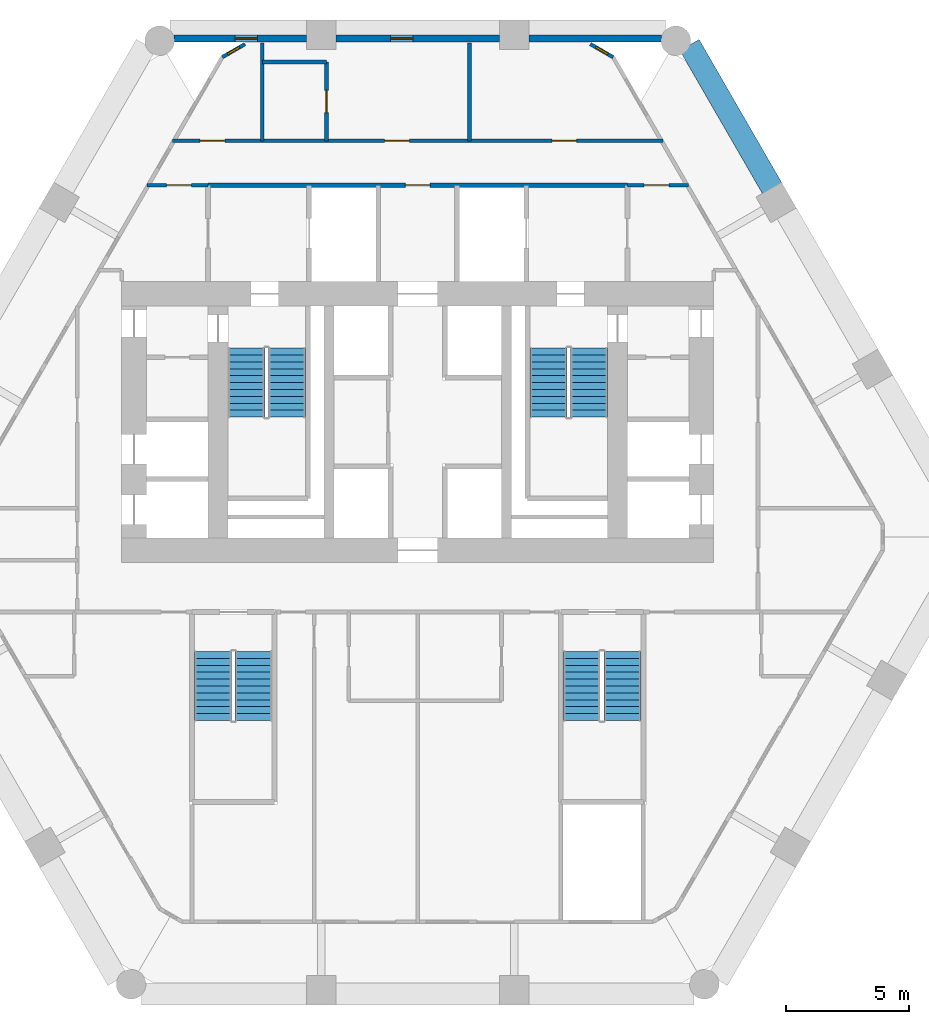
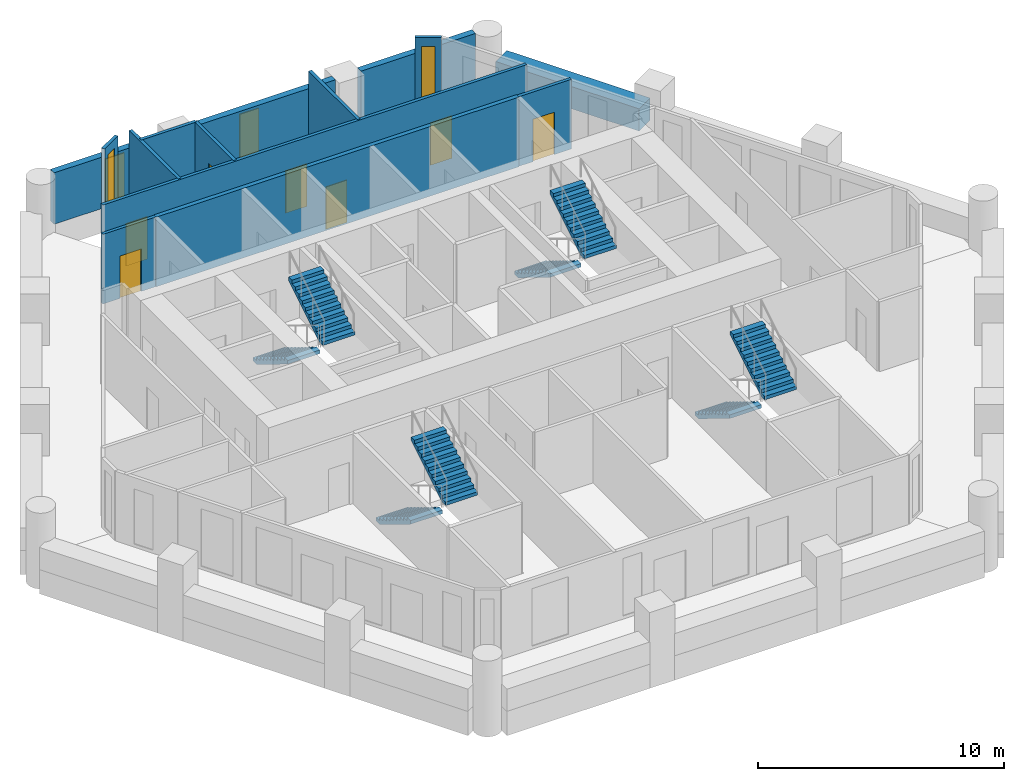
# One storey, part 6 of 7: 14 walls, 8 stair flights, 7 doors, 4 windows, 11 openings, 4 elements without a shape of their own.
"""IFC4 building model written with IfcOpenShell, lengths in metres."""

from ifc_helpers import new_model, si_unit, direction, frame, frame_2d, origin, place, context, subcontext, project, spatial, polyline, rectangle, outline, extrude, material, layer, layer_set, type_object, element, fill, aggregate, save


model = new_model("IFC4")

# Units and contexts
model_context = context("Model", 3, precision=1e-05, world=origin(), true_north=direction((0.0, 1.0)))
body_context = subcontext(model_context, "Body", "Model", "MODEL_VIEW")
ifc_project = project(units=[si_unit("LENGTHUNIT", "METRE"), si_unit("AREAUNIT", "SQUARE_METRE"), si_unit("VOLUMEUNIT", "CUBIC_METRE"), si_unit("PLANEANGLEUNIT", "RADIAN"), si_unit("MASSUNIT", "GRAM", prefix="KILO")], contexts=[model_context])

# Site, building, storey
site_placement = place(None, origin())
site = spatial("IfcSite", under=ifc_project, at=site_placement, CompositionType="ELEMENT")
building_placement = place(site_placement, origin())
building = spatial("IfcBuilding", under=site, at=building_placement, Name="Ostrander Bayou Hotel Tower", CompositionType="ELEMENT")
storey_placement = place(building_placement, frame((0.0, 0.0, 119.75)))
storey = spatial("IfcBuildingStorey", under=building, at=storey_placement, Name="L29", CompositionType="ELEMENT", Elevation=119.75)

# Wall, opening, window
ifc_material_1 = material(Name="Aluminium framed insulated wall", Category="aluminium")
ifc_layer_1 = layer(ifc_material_1, 0.14990234375)
ifc_layer_set_1 = layer_set([ifc_layer_1], Name="GW1 glass-line wall 150 mm")
wall_type_1 = type_object("IfcWallType", Name="GW1 glass-line wall 150 mm", PredefinedType="SOLIDWALL", material=ifc_layer_set_1)
wall_1_placement = place(storey_placement, frame((-7.002685546875, 19.324951171875, 0.0), z_axis=(0.0, 0.0, 1.0), x_axis=(-0.866048165231, -0.499960573946, 0.0)))
wall_1 = element("IfcWall", 1, at=wall_1_placement, inside=storey, type_object=wall_type_1, Name="GW1 L29 corner 1", PredefinedType="SOLIDWALL", context=body_context, shape_type="SweptSolid", body=[
    extrude(rectangle(XDim=1.06494140625, YDim=0.14990234375, at=frame_2d((0.532470703125, 0.0))), origin(), (0.0, 0.0, 1.0), 3.449951171875),
])
opening_1_placement = place(wall_1_placement, frame((0.257568359375, 0.0, 0.14990234375)))
opening_1 = element("IfcOpeningElement", 2, at=opening_1_placement, cuts=wall_1, Name="Opening W19", PredefinedType="OPENING", context=body_context, shape_type="SweptSolid", body=[
    extrude(rectangle(XDim=0.550048828125, YDim=2.85009765625, at=frame_2d((0.27490234375, 1.425048828125))), frame((0.0, 0.074951171875, 0.0), z_axis=(0.0, -1.0, 0.0), x_axis=(1.0, 0.0, 0.0)), (0.0, 0.0, 1.0), 0.14990234375),
])
ifc_material_2 = material(Name="Aluminium and clear glass", Category="aluminium")
window_type_1 = type_object("IfcWindowType", Name="W19 corner window 550 mm", PartitioningType="SINGLE_PANEL", PredefinedType="WINDOW", material=ifc_material_2)
window_1_placement = place(opening_1_placement, origin())
window_1 = element("IfcWindow", 3, at=window_1_placement, inside=storey, type_object=window_type_1, Name="W19 L29 corner 1", OverallHeight=2.85009765625, OverallWidth=0.550048828125, PartitioningType="SINGLE_PANEL", PredefinedType="WINDOW", context=body_context, shape_type="SweptSolid", body=[
    extrude(rectangle(XDim=0.550048828125, YDim=2.85009765625, at=frame_2d((0.27490234375, 1.425048828125))), frame((0.0, 0.030029296875, 0.0), z_axis=(0.0, -1.0, 0.0), x_axis=(1.0, 0.0, 0.0)), (0.0, 0.0, 1.0), 0.06005859375),
])
fill(opening_1, window_1)

wall_2_placement = place(storey_placement, frame((7.925048828125, 18.79248046875, 0.0), z_axis=(0.0, 0.0, 1.0), x_axis=(-0.866048165231, 0.499960573946, 0.0)))
wall_2 = element("IfcWall", 4, at=wall_2_placement, inside=storey, type_object=wall_type_1, Name="GW1 L29 corner 6", PredefinedType="SOLIDWALL", context=body_context, shape_type="SweptSolid", body=[
    extrude(rectangle(XDim=1.06494140625, YDim=0.14990234375, at=frame_2d((0.532470703125, 0.0))), origin(), (0.0, 0.0, 1.0), 3.449951171875),
])
opening_2_placement = place(wall_2_placement, frame((0.257568359375, 0.0, 0.14990234375)))
opening_2 = element("IfcOpeningElement", 5, at=opening_2_placement, cuts=wall_2, Name="Opening W19", PredefinedType="OPENING", context=body_context, shape_type="SweptSolid", body=[
    extrude(rectangle(XDim=0.550048828125, YDim=2.85009765625, at=frame_2d((0.27490234375, 1.425048828125))), frame((0.0, 0.074951171875, 0.0), z_axis=(0.0, -1.0, 0.0), x_axis=(1.0, 0.0, 0.0)), (0.0, 0.0, 1.0), 0.14990234375),
])
window_2_placement = place(opening_2_placement, origin())
window_2 = element("IfcWindow", 6, at=window_2_placement, inside=storey, type_object=window_type_1, Name="W19 L29 corner 6", OverallHeight=2.85009765625, OverallWidth=0.550048828125, PartitioningType="SINGLE_PANEL", PredefinedType="WINDOW", context=body_context, shape_type="SweptSolid", body=[
    extrude(rectangle(XDim=0.550048828125, YDim=2.85009765625, at=frame_2d((0.27490234375, 1.425048828125))), frame((0.0, 0.030029296875, 0.0), z_axis=(0.0, -1.0, 0.0), x_axis=(1.0, 0.0, 0.0)), (0.0, 0.0, 1.0), 0.06005859375),
])
fill(opening_2, window_2)

# Wall
ifc_material_3 = material(Name="Reconstituted stone on masonry backing", Category="masonry")
ifc_layer_2 = layer(ifc_material_3, 0.300048828125)
ifc_layer_set_2 = layer_set([ifc_layer_2], Name="NW1 north stone wall 300 mm")
wall_type_2 = type_object("IfcWallType", Name="NW1 north stone wall 300 mm", PredefinedType="SOLIDWALL", material=ifc_layer_set_2)
wall_3_placement = place(storey_placement, frame((9.875, 19.550048828125, 0.0), z_axis=(0.0, 0.0, 1.0), x_axis=(-1.0, 0.0, 0.0)))
element("IfcWall", 7, at=wall_3_placement, inside=storey, type_object=wall_type_2, Name="NW1 L29 N-1", PredefinedType="SOLIDWALL", context=body_context, shape_type="SweptSolid", body=[
    extrude(rectangle(XDim=5.368408203125, YDim=0.300048828125, at=frame_2d((2.68408203125, 0.0))), origin(), (0.0, 0.0, 1.0), 2.550048828125),
])

# Wall, opening, window
wall_4_placement = place(storey_placement, frame((3.306640625, 19.550048828125, 0.0), z_axis=(0.0, 0.0, 1.0), x_axis=(-1.0, 0.0, 0.0)))
wall_4 = element("IfcWall", 8, at=wall_4_placement, inside=storey, type_object=wall_type_2, Name="NW1 L29 N-2", PredefinedType="SOLIDWALL", context=body_context, shape_type="SweptSolid", body=[
    extrude(rectangle(XDim=6.61328125, YDim=0.300048828125, at=frame_2d((3.306640625, 0.0))), origin(), (0.0, 0.0, 1.0), 2.550048828125),
])
opening_3_placement = place(wall_4_placement, frame((3.506591796875, 0.0, 0.14990234375)))
opening_3 = element("IfcOpeningElement", 9, at=opening_3_placement, cuts=wall_4, Name="Opening W16", PredefinedType="OPENING", context=body_context, shape_type="SweptSolid", body=[
    extrude(rectangle(XDim=0.89990234375, YDim=2.14990234375, at=frame_2d((0.449951171875, 1.074951171875))), frame((0.0, 0.14990234375, 0.0), z_axis=(0.0, -1.0, 0.0), x_axis=(1.0, 0.0, 0.0)), (0.0, 0.0, 1.0), 0.300048828125),
])
ifc_material_4 = material(Name="Aluminium and clear glass", Category="aluminium")
window_type_2 = type_object("IfcWindowType", Name="W16 window 900 mm, zone 2", PartitioningType="SINGLE_PANEL", PredefinedType="WINDOW", material=ifc_material_4)
window_3_placement = place(opening_3_placement, origin())
window_3 = element("IfcWindow", 10, at=window_3_placement, inside=storey, type_object=window_type_2, Name="W16 L29 north N-2", OverallHeight=2.14990234375, OverallWidth=0.89990234375, PartitioningType="SINGLE_PANEL", PredefinedType="WINDOW", context=body_context, shape_type="SweptSolid", body=[
    extrude(rectangle(XDim=0.89990234375, YDim=2.14990234375, at=frame_2d((0.449951171875, 1.074951171875))), frame((0.0, 0.030029296875, 0.0), z_axis=(0.0, -1.0, 0.0), x_axis=(1.0, 0.0, 0.0)), (0.0, 0.0, 1.0), 0.06005859375),
])
fill(opening_3, window_3)

wall_5_placement = place(storey_placement, frame((-4.506591796875, 19.550048828125, 0.0), z_axis=(0.0, 0.0, 1.0), x_axis=(-1.0, 0.0, 0.0)))
wall_5 = element("IfcWall", 11, at=wall_5_placement, inside=storey, type_object=wall_type_2, Name="NW1 L29 N-3", PredefinedType="SOLIDWALL", context=body_context, shape_type="SweptSolid", body=[
    extrude(rectangle(XDim=5.368408203125, YDim=0.300048828125, at=frame_2d((2.68408203125, 0.0))), origin(), (0.0, 0.0, 1.0), 2.550048828125),
])
opening_4_placement = place(wall_5_placement, frame((1.993408203125, 0.0, 0.14990234375)))
opening_4 = element("IfcOpeningElement", 12, at=opening_4_placement, cuts=wall_5, Name="Opening W16", PredefinedType="OPENING", context=body_context, shape_type="SweptSolid", body=[
    extrude(rectangle(XDim=0.89990234375, YDim=2.14990234375, at=frame_2d((0.449951171875, 1.074951171875))), frame((0.0, 0.14990234375, 0.0), z_axis=(0.0, -1.0, 0.0), x_axis=(1.0, 0.0, 0.0)), (0.0, 0.0, 1.0), 0.300048828125),
])
window_4_placement = place(opening_4_placement, origin())
window_4 = element("IfcWindow", 13, at=window_4_placement, inside=storey, type_object=window_type_2, Name="W16 L29 north N-3", OverallHeight=2.14990234375, OverallWidth=0.89990234375, PartitioningType="SINGLE_PANEL", PredefinedType="WINDOW", context=body_context, shape_type="SweptSolid", body=[
    extrude(rectangle(XDim=0.89990234375, YDim=2.14990234375, at=frame_2d((0.449951171875, 1.074951171875))), frame((0.0, 0.030029296875, 0.0), z_axis=(0.0, -1.0, 0.0), x_axis=(1.0, 0.0, 0.0)), (0.0, 0.0, 1.0), 0.06005859375),
])
fill(opening_4, window_4)

# Wall
ifc_material_5 = material(Name="Concrete f'c 40 MPa", Category="concrete")
ifc_layer_3 = layer(ifc_material_5, 0.89990234375)
ifc_layer_set_3 = layer_set([ifc_layer_3], Name="PA1 stone-faced parapet 900 mm")
wall_type_3 = type_object("IfcWallType", Name="PA1 stone-faced parapet 900 mm", PredefinedType="PARAPET", material=ifc_layer_set_3)
wall_6_placement = place(storey_placement, frame((14.3759765625, 13.46923828125, 0.0), z_axis=(0.0, 0.0, 1.0), x_axis=(-0.500012951941, 0.866017925849, 0.0)))
element("IfcWall", 14, at=wall_6_placement, inside=storey, type_object=wall_type_3, Name="PA1 L29 NE-3", PredefinedType="PARAPET", context=body_context, shape_type="SweptSolid", body=[
    extrude(rectangle(XDim=6.717041015625, YDim=0.89990234375, at=frame_2d((3.3583984375, 0.0))), origin(), (0.0, 0.0, 1.0), 1.10009765625),
])

# Wall, opening, door
ifc_material_6 = material(Name="Masonry block", Category="masonry")
ifc_layer_4 = layer(ifc_material_6, 0.199951171875)
ifc_layer_set_4 = layer_set([ifc_layer_4], Name="PT5 stair enclosure wall 200 mm masonry, 2 hour")
wall_type_4 = type_object("IfcWallType", Name="PT5 stair enclosure wall 200 mm masonry, 2 hour", PredefinedType="PARTITIONING", material=ifc_layer_set_4)
wall_7_placement = place(storey_placement, frame((-8.5, 13.60009765625, 0.0), z_axis=(0.0, 0.0, 1.0), x_axis=(1.0, 0.0, 0.0)))
wall_7 = element("IfcWall", 15, at=wall_7_placement, inside=storey, type_object=wall_type_4, Name="cs:L29:025", PredefinedType="PARTITIONING", context=body_context, shape_type="SweptSolid", body=[
    extrude(rectangle(XDim=17.0, YDim=0.199951171875, at=frame_2d((8.5, 0.0))), origin(), (0.0, 0.0, 1.0), 3.449951171875),
])
opening_5_placement = place(wall_7_placement, frame((8.0, 0.0, 0.0)))
opening_5 = element("IfcOpeningElement", 16, at=opening_5_placement, cuts=wall_7, Name="Opening T28-013", PredefinedType="OPENING", context=body_context, shape_type="SweptSolid", body=[
    extrude(rectangle(XDim=1.0, YDim=2.10009765625, at=frame_2d((0.5, 1.050048828125))), frame((0.0, 0.10009765625, 0.0), z_axis=(0.0, -1.0, 0.0), x_axis=(1.0, 0.0, 0.0)), (0.0, 0.0, 1.0), 0.199951171875),
])
ifc_material_7 = material(Name="Timber door leaf", Category="wood")
door_type_1 = type_object("IfcDoorType", Name="D9 service door 1000 x 2100 mm, 30 minute", OperationType="SINGLE_SWING_LEFT", PredefinedType="DOOR", material=ifc_material_7)
door_1_placement = place(opening_5_placement, origin())
door_1 = element("IfcDoor", 17, at=door_1_placement, inside=storey, type_object=door_type_1, Name="dr:L29:013", OperationType="SINGLE_SWING_LEFT", OverallHeight=2.10009765625, OverallWidth=1.0, PredefinedType="DOOR", context=body_context, shape_type="SweptSolid", body=[
    extrude(rectangle(XDim=1.0, YDim=2.10009765625, at=frame_2d((0.5, 1.050048828125))), frame((0.0, 0.02490234375, 0.0), z_axis=(0.0, -1.0, 0.0), x_axis=(1.0, 0.0, 0.0)), (0.0, 0.0, 1.0), 0.050048828125),
])
fill(opening_5, door_1)

ifc_material_8 = material(Name="Gypsum board partition", Category="finish")
ifc_layer_5 = layer(ifc_material_8, 0.14990234375)
ifc_layer_set_5 = layer_set([ifc_layer_5], Name="PT8 service band wall 150 mm, 1 hour")
wall_type_5 = type_object("IfcWallType", Name="PT8 service band wall 150 mm, 1 hour", PredefinedType="PARTITIONING", material=ifc_layer_set_5)
wall_8_placement = place(storey_placement, frame((-10.97509765625, 13.60009765625, 0.0), z_axis=(0.0, 0.0, 1.0), x_axis=(1.0, 0.0, 0.0)))
wall_8 = element("IfcWall", 18, at=wall_8_placement, inside=storey, type_object=wall_type_5, Name="gw:L29:012", PredefinedType="PARTITIONING", context=body_context, shape_type="SweptSolid", body=[
    extrude(rectangle(XDim=2.465087890625, YDim=0.14990234375, at=frame_2d((1.232421875, 0.0))), origin(), (0.0, 0.0, 1.0), 3.449951171875),
])
opening_6_placement = place(wall_8_placement, frame((0.794921875, 0.0, 0.0)))
opening_6 = element("IfcOpeningElement", 19, at=opening_6_placement, cuts=wall_8, Name="Opening T28-418", PredefinedType="OPENING", context=body_context, shape_type="SweptSolid", body=[
    extrude(rectangle(XDim=1.0, YDim=2.10009765625, at=frame_2d((0.5, 1.050048828125))), frame((0.0, 0.074951171875, 0.0), z_axis=(0.0, -1.0, 0.0), x_axis=(1.0, 0.0, 0.0)), (0.0, 0.0, 1.0), 0.14990234375),
])
door_2_placement = place(opening_6_placement, origin())
door_2 = element("IfcDoor", 20, at=door_2_placement, inside=storey, type_object=door_type_1, Name="dr:L29:418", OperationType="SINGLE_SWING_RIGHT", OverallHeight=2.10009765625, OverallWidth=1.0, PredefinedType="DOOR", context=body_context, shape_type="SweptSolid", body=[
    extrude(rectangle(XDim=1.0, YDim=2.10009765625, at=frame_2d((0.5, 1.050048828125))), frame((0.0, 0.02490234375, 0.0), z_axis=(0.0, -1.0, 0.0), x_axis=(1.0, 0.0, 0.0)), (0.0, 0.0, 1.0), 0.050048828125),
])
fill(opening_6, door_2)

wall_9_placement = place(storey_placement, frame((8.510009765625, 13.60009765625, 0.0), z_axis=(0.0, 0.0, 1.0), x_axis=(1.0, 0.0, 0.0)))
wall_9 = element("IfcWall", 21, at=wall_9_placement, inside=storey, type_object=wall_type_5, Name="gw:L29:013", PredefinedType="PARTITIONING", context=body_context, shape_type="SweptSolid", body=[
    extrude(rectangle(XDim=2.465087890625, YDim=0.14990234375, at=frame_2d((1.232421875, 0.0))), origin(), (0.0, 0.0, 1.0), 3.449951171875),
])
opening_7_placement = place(wall_9_placement, frame((0.669921875, 0.0, 0.0)))
opening_7 = element("IfcOpeningElement", 22, at=opening_7_placement, cuts=wall_9, Name="Opening T28-419", PredefinedType="OPENING", context=body_context, shape_type="SweptSolid", body=[
    extrude(rectangle(XDim=1.0, YDim=2.10009765625, at=frame_2d((0.5, 1.050048828125))), frame((0.0, 0.074951171875, 0.0), z_axis=(0.0, -1.0, 0.0), x_axis=(1.0, 0.0, 0.0)), (0.0, 0.0, 1.0), 0.14990234375),
])
door_3_placement = place(opening_7_placement, origin())
door_3 = element("IfcDoor", 23, at=door_3_placement, inside=storey, type_object=door_type_1, Name="dr:L29:419", OperationType="SINGLE_SWING_LEFT", OverallHeight=2.10009765625, OverallWidth=1.0, PredefinedType="DOOR", context=body_context, shape_type="SweptSolid", body=[
    extrude(rectangle(XDim=1.0, YDim=2.10009765625, at=frame_2d((0.5, 1.050048828125))), frame((0.0, 0.02490234375, 0.0), z_axis=(0.0, -1.0, 0.0), x_axis=(1.0, 0.0, 0.0)), (0.0, 0.0, 1.0), 0.050048828125),
])
fill(opening_7, door_3)

# Wall, openings, doors
wall_10_placement = place(storey_placement, frame((-9.93603515625, 15.39990234375, 0.0), z_axis=(0.0, 0.0, 1.0), x_axis=(1.0, 0.0, 0.0)))
wall_10 = element("IfcWall", 24, at=wall_10_placement, inside=storey, type_object=wall_type_5, Name="gw:L29:014", PredefinedType="PARTITIONING", context=body_context, shape_type="SweptSolid", body=[
    extrude(rectangle(XDim=19.8720703125, YDim=0.14990234375, at=frame_2d((9.93603515625, 0.0))), origin(), (0.0, 0.0, 1.0), 3.449951171875),
])
opening_8_placement = place(wall_10_placement, frame((1.117919921875, 0.0, 0.0)))
opening_8 = element("IfcOpeningElement", 25, at=opening_8_placement, cuts=wall_10, Name="Opening T28-414", PredefinedType="OPENING", context=body_context, shape_type="SweptSolid", body=[
    extrude(rectangle(XDim=1.0, YDim=2.10009765625, at=frame_2d((0.5, 1.050048828125))), frame((0.0, 0.074951171875, 0.0), z_axis=(0.0, -1.0, 0.0), x_axis=(1.0, 0.0, 0.0)), (0.0, 0.0, 1.0), 0.14990234375),
])
opening_9_placement = place(wall_10_placement, frame((8.595947265625, 0.0, 0.0)))
opening_9 = element("IfcOpeningElement", 26, at=opening_9_placement, cuts=wall_10, Name="Opening T28-415", PredefinedType="OPENING", context=body_context, shape_type="SweptSolid", body=[
    extrude(rectangle(XDim=1.0, YDim=2.10009765625, at=frame_2d((0.5, 1.050048828125))), frame((0.0, 0.074951171875, 0.0), z_axis=(0.0, -1.0, 0.0), x_axis=(1.0, 0.0, 0.0)), (0.0, 0.0, 1.0), 0.14990234375),
])
opening_10_placement = place(wall_10_placement, frame((15.383056640625, 0.0, 0.0)))
opening_10 = element("IfcOpeningElement", 27, at=opening_10_placement, cuts=wall_10, Name="Opening T28-417", PredefinedType="OPENING", context=body_context, shape_type="SweptSolid", body=[
    extrude(rectangle(XDim=1.0, YDim=2.10009765625, at=frame_2d((0.5, 1.050048828125))), frame((0.0, 0.074951171875, 0.0), z_axis=(0.0, -1.0, 0.0), x_axis=(1.0, 0.0, 0.0)), (0.0, 0.0, 1.0), 0.14990234375),
])
ifc_material_9 = material(Name="Timber door leaf", Category="wood")
door_type_2 = type_object("IfcDoorType", Name="D15 room door 1000 x 2100 mm", OperationType="SINGLE_SWING_LEFT", PredefinedType="DOOR", material=ifc_material_9)
door_4_placement = place(opening_8_placement, origin())
door_4 = element("IfcDoor", 28, at=door_4_placement, inside=storey, type_object=door_type_2, Name="dr:L29:414", OperationType="SINGLE_SWING_LEFT", OverallHeight=2.10009765625, OverallWidth=1.0, PredefinedType="DOOR", context=body_context, shape_type="SweptSolid", body=[
    extrude(rectangle(XDim=1.0, YDim=2.10009765625, at=frame_2d((0.5, 1.050048828125))), frame((0.0, 0.02490234375, 0.0), z_axis=(0.0, -1.0, 0.0), x_axis=(1.0, 0.0, 0.0)), (0.0, 0.0, 1.0), 0.050048828125),
])
fill(opening_8, door_4)
door_5_placement = place(opening_9_placement, origin())
door_5 = element("IfcDoor", 29, at=door_5_placement, inside=storey, type_object=door_type_2, Name="dr:L29:415", OperationType="SINGLE_SWING_RIGHT", OverallHeight=2.10009765625, OverallWidth=1.0, PredefinedType="DOOR", context=body_context, shape_type="SweptSolid", body=[
    extrude(rectangle(XDim=1.0, YDim=2.10009765625, at=frame_2d((0.5, 1.050048828125))), frame((0.0, 0.02490234375, 0.0), z_axis=(0.0, -1.0, 0.0), x_axis=(1.0, 0.0, 0.0)), (0.0, 0.0, 1.0), 0.050048828125),
])
fill(opening_9, door_5)
door_6_placement = place(opening_10_placement, origin())
door_6 = element("IfcDoor", 30, at=door_6_placement, inside=storey, type_object=door_type_1, Name="dr:L29:417", OperationType="SINGLE_SWING_LEFT", OverallHeight=2.10009765625, OverallWidth=1.0, PredefinedType="DOOR", context=body_context, shape_type="SweptSolid", body=[
    extrude(rectangle(XDim=1.0, YDim=2.10009765625, at=frame_2d((0.5, 1.050048828125))), frame((0.0, 0.02490234375, 0.0), z_axis=(0.0, -1.0, 0.0), x_axis=(1.0, 0.0, 0.0)), (0.0, 0.0, 1.0), 0.050048828125),
])
fill(opening_10, door_6)

# Walls
wall_11_placement = place(storey_placement, frame((-6.300048828125, 18.60009765625, 0.0), z_axis=(0.0, 0.0, 1.0), x_axis=(1.0, 0.0, 0.0)))
element("IfcWall", 31, at=wall_11_placement, inside=storey, type_object=wall_type_5, Name="gw:L29:015", PredefinedType="PARTITIONING", context=body_context, shape_type="SweptSolid", body=[
    extrude(rectangle(XDim=2.60009765625, YDim=0.14990234375, at=frame_2d((1.300048828125, 0.0))), origin(), (0.0, 0.0, 1.0), 3.449951171875),
])
wall_12_placement = place(storey_placement, frame((2.10009765625, 15.39990234375, 0.0), z_axis=(0.0, 0.0, 1.0), x_axis=(0.0, 1.0, 0.0)))
element("IfcWall", 32, at=wall_12_placement, inside=storey, type_object=wall_type_5, Name="gw:L29:022", PredefinedType="PARTITIONING", context=body_context, shape_type="SweptSolid", body=[
    extrude(rectangle(XDim=3.97021484375, YDim=0.14990234375, at=frame_2d((1.985107421875, 0.0))), origin(), (0.0, 0.0, 1.0), 3.449951171875),
])

# Wall, opening, door
wall_13_placement = place(storey_placement, frame((-3.699951171875, 15.39990234375, 0.0), z_axis=(0.0, 0.0, 1.0), x_axis=(0.0, 1.0, 0.0)))
wall_13 = element("IfcWall", 33, at=wall_13_placement, inside=storey, type_object=wall_type_5, Name="gw:L29:025", PredefinedType="PARTITIONING", context=body_context, shape_type="SweptSolid", body=[
    extrude(rectangle(XDim=3.2001953125, YDim=0.14990234375, at=frame_2d((1.60009765625, 0.0))), origin(), (0.0, 0.0, 1.0), 3.449951171875),
])
opening_11_placement = place(wall_13_placement, frame((1.14990234375, 0.0, 0.0)))
opening_11 = element("IfcOpeningElement", 34, at=opening_11_placement, cuts=wall_13, Name="Opening T28-416", PredefinedType="OPENING", context=body_context, shape_type="SweptSolid", body=[
    extrude(rectangle(XDim=0.89990234375, YDim=2.10009765625, at=frame_2d((0.449951171875, 1.050048828125))), frame((0.0, 0.074951171875, 0.0), z_axis=(0.0, -1.0, 0.0), x_axis=(1.0, 0.0, 0.0)), (0.0, 0.0, 1.0), 0.14990234375),
])
ifc_material_10 = material(Name="Timber door leaf", Category="wood")
door_type_3 = type_object("IfcDoorType", Name="D8 room door 900 x 2100 mm", OperationType="SINGLE_SWING_LEFT", PredefinedType="DOOR", material=ifc_material_10)
door_7_placement = place(opening_11_placement, origin())
door_7 = element("IfcDoor", 35, at=door_7_placement, inside=storey, type_object=door_type_3, Name="dr:L29:416", OperationType="SINGLE_SWING_LEFT", OverallHeight=2.10009765625, OverallWidth=0.89990234375, PredefinedType="DOOR", context=body_context, shape_type="SweptSolid", body=[
    extrude(rectangle(XDim=0.89990234375, YDim=2.10009765625, at=frame_2d((0.449951171875, 1.050048828125))), frame((0.0, 0.02490234375, 0.0), z_axis=(0.0, -1.0, 0.0), x_axis=(1.0, 0.0, 0.0)), (0.0, 0.0, 1.0), 0.050048828125),
])
fill(opening_11, door_7)

# Wall
wall_14_placement = place(storey_placement, frame((-6.300048828125, 15.39990234375, 0.0), z_axis=(0.0, 0.0, 1.0), x_axis=(0.0, 1.0, 0.0)))
element("IfcWall", 36, at=wall_14_placement, inside=storey, type_object=wall_type_5, Name="gw:L29:027", PredefinedType="PARTITIONING", context=body_context, shape_type="SweptSolid", body=[
    extrude(rectangle(XDim=3.97021484375, YDim=0.14990234375, at=frame_2d((1.985107421875, 0.0))), origin(), (0.0, 0.0, 1.0), 3.449951171875),
])

# Stair, stair flights
ifc_material_11 = material(Name="Concrete f'c 45 MPa", Category="concrete")
stair_type = type_object("IfcStairType", Name="ST1 exit stair 1500 mm f'c 45 MPa", PredefinedType="HALF_TURN_STAIR", material=ifc_material_11)
stair_1_placement = place(storey_placement, origin())
stair_1 = element("IfcStair", 37, at=stair_1_placement, inside=storey, type_object=stair_type, Name="L29 exit stair A", PredefinedType="HALF_TURN_STAIR")
ifc_material_12 = material(Name="Concrete f'c 45 MPa", Category="concrete")
stair_flight_type = type_object("IfcStairFlightType", Name="SF1 stair flight 1500 mm f'c 45 MPa", PredefinedType="STRAIGHT", material=ifc_material_12)
stair_flight_1_placement = place(storey_placement, frame((-6.949951171875, 7.0, 0.0), z_axis=(0.0, 0.0, 1.0), x_axis=(0.0, -1.0, 0.0)))
stair_flight_1 = element("IfcStairFlight", 38, at=stair_flight_1_placement, type_object=stair_flight_type, Name="STA flight 1", NumberOfRisers=11, NumberOfTreads=10, PredefinedType="STRAIGHT", RiserHeight=0.170454545, TreadLength=0.28, context=body_context, shape_type="SweptSolid", body=[
    extrude(outline(polyline([(0.0, 0.0), (0.0, 0.17041015625), (0.280029296875, 0.17041015625), (0.280029296875, 0.3408203125), (0.56005859375, 0.3408203125), (0.56005859375, 0.511474609375), (0.840087890625, 0.511474609375), (0.840087890625, 0.681884765625), (1.1201171875, 0.681884765625), (1.1201171875, 0.852294921875), (1.39990234375, 0.852294921875), (1.39990234375, 1.022705078125), (1.679931640625, 1.022705078125), (1.679931640625, 1.193115234375), (1.9599609375, 1.193115234375), (1.9599609375, 1.363525390625), (2.239990234375, 1.363525390625), (2.239990234375, 1.5341796875), (2.52001953125, 1.5341796875), (2.52001953125, 1.70458984375), (2.800048828125, 1.70458984375), (2.800048828125, 1.875), (2.800048828125, 1.529052734375), (0.288330078125, 0.0), (0.0, 0.0)])), frame((0.0, 0.75, 0.0), z_axis=(0.0, -1.0, 0.0), x_axis=(1.0, 0.0, 0.0)), (0.0, 0.0, 1.0), 1.5),
])
stair_flight_2_placement = place(storey_placement, frame((-5.300048828125, 4.199951171875, 1.875), z_axis=(0.0, 0.0, 1.0), x_axis=(0.0, 1.0, 0.0)))
stair_flight_2 = element("IfcStairFlight", 39, at=stair_flight_2_placement, type_object=stair_flight_type, Name="STA flight 2", NumberOfRisers=11, NumberOfTreads=10, PredefinedType="STRAIGHT", RiserHeight=0.170454545, TreadLength=0.28, context=body_context, shape_type="SweptSolid", body=[
    extrude(outline(polyline([(0.0, 0.0), (0.0, 0.17041015625), (0.280029296875, 0.17041015625), (0.280029296875, 0.3408203125), (0.56005859375, 0.3408203125), (0.56005859375, 0.511474609375), (0.840087890625, 0.511474609375), (0.840087890625, 0.681884765625), (1.1201171875, 0.681884765625), (1.1201171875, 0.852294921875), (1.39990234375, 0.852294921875), (1.39990234375, 1.022705078125), (1.679931640625, 1.022705078125), (1.679931640625, 1.193115234375), (1.9599609375, 1.193115234375), (1.9599609375, 1.363525390625), (2.239990234375, 1.363525390625), (2.239990234375, 1.5341796875), (2.52001953125, 1.5341796875), (2.52001953125, 1.70458984375), (2.800048828125, 1.70458984375), (2.800048828125, 1.875), (2.800048828125, 1.529052734375), (0.288330078125, 0.0), (0.0, 0.0)])), frame((0.0, 0.75, 0.0), z_axis=(0.0, -1.0, 0.0), x_axis=(1.0, 0.0, 0.0)), (0.0, 0.0, 1.0), 1.5),
])
aggregate(stair_1, [stair_flight_1, stair_flight_2])

stair_2_placement = place(storey_placement, origin())
stair_2 = element("IfcStair", 40, at=stair_2_placement, inside=storey, type_object=stair_type, Name="L29 exit stair B", PredefinedType="HALF_TURN_STAIR")
stair_flight_3_placement = place(storey_placement, frame((5.300048828125, 7.0, 0.0), z_axis=(0.0, 0.0, 1.0), x_axis=(0.0, -1.0, 0.0)))
stair_flight_3 = element("IfcStairFlight", 41, at=stair_flight_3_placement, type_object=stair_flight_type, Name="STB flight 1", NumberOfRisers=11, NumberOfTreads=10, PredefinedType="STRAIGHT", RiserHeight=0.170454545, TreadLength=0.28, context=body_context, shape_type="SweptSolid", body=[
    extrude(outline(polyline([(0.0, 0.0), (0.0, 0.17041015625), (0.280029296875, 0.17041015625), (0.280029296875, 0.3408203125), (0.56005859375, 0.3408203125), (0.56005859375, 0.511474609375), (0.840087890625, 0.511474609375), (0.840087890625, 0.681884765625), (1.1201171875, 0.681884765625), (1.1201171875, 0.852294921875), (1.39990234375, 0.852294921875), (1.39990234375, 1.022705078125), (1.679931640625, 1.022705078125), (1.679931640625, 1.193115234375), (1.9599609375, 1.193115234375), (1.9599609375, 1.363525390625), (2.239990234375, 1.363525390625), (2.239990234375, 1.5341796875), (2.52001953125, 1.5341796875), (2.52001953125, 1.70458984375), (2.800048828125, 1.70458984375), (2.800048828125, 1.875), (2.800048828125, 1.529052734375), (0.288330078125, 0.0), (0.0, 0.0)])), frame((0.0, 0.75, 0.0), z_axis=(0.0, -1.0, 0.0), x_axis=(1.0, 0.0, 0.0)), (0.0, 0.0, 1.0), 1.5),
])
stair_flight_4_placement = place(storey_placement, frame((6.949951171875, 4.199951171875, 1.875), z_axis=(0.0, 0.0, 1.0), x_axis=(0.0, 1.0, 0.0)))
stair_flight_4 = element("IfcStairFlight", 42, at=stair_flight_4_placement, type_object=stair_flight_type, Name="STB flight 2", NumberOfRisers=11, NumberOfTreads=10, PredefinedType="STRAIGHT", RiserHeight=0.170454545, TreadLength=0.28, context=body_context, shape_type="SweptSolid", body=[
    extrude(outline(polyline([(0.0, 0.0), (0.0, 0.17041015625), (0.280029296875, 0.17041015625), (0.280029296875, 0.3408203125), (0.56005859375, 0.3408203125), (0.56005859375, 0.511474609375), (0.840087890625, 0.511474609375), (0.840087890625, 0.681884765625), (1.1201171875, 0.681884765625), (1.1201171875, 0.852294921875), (1.39990234375, 0.852294921875), (1.39990234375, 1.022705078125), (1.679931640625, 1.022705078125), (1.679931640625, 1.193115234375), (1.9599609375, 1.193115234375), (1.9599609375, 1.363525390625), (2.239990234375, 1.363525390625), (2.239990234375, 1.5341796875), (2.52001953125, 1.5341796875), (2.52001953125, 1.70458984375), (2.800048828125, 1.70458984375), (2.800048828125, 1.875), (2.800048828125, 1.529052734375), (0.288330078125, 0.0), (0.0, 0.0)])), frame((0.0, 0.75, 0.0), z_axis=(0.0, -1.0, 0.0), x_axis=(1.0, 0.0, 0.0)), (0.0, 0.0, 1.0), 1.5),
])
aggregate(stair_2, [stair_flight_3, stair_flight_4])

stair_3_placement = place(storey_placement, origin())
stair_3 = element("IfcStair", 43, at=stair_3_placement, inside=storey, type_object=stair_type, Name="L29 exit stair C", PredefinedType="HALF_TURN_STAIR")
stair_flight_5_placement = place(storey_placement, frame((6.64990234375, -5.300048828125, 0.0), z_axis=(0.0, 0.0, 1.0), x_axis=(0.0, -1.0, 0.0)))
stair_flight_5 = element("IfcStairFlight", 44, at=stair_flight_5_placement, type_object=stair_flight_type, Name="STC flight 1", NumberOfRisers=11, NumberOfTreads=10, PredefinedType="STRAIGHT", RiserHeight=0.170454545, TreadLength=0.28, context=body_context, shape_type="SweptSolid", body=[
    extrude(outline(polyline([(0.0, 0.0), (0.0, 0.17041015625), (0.280029296875, 0.17041015625), (0.280029296875, 0.3408203125), (0.56005859375, 0.3408203125), (0.56005859375, 0.511474609375), (0.840087890625, 0.511474609375), (0.840087890625, 0.681884765625), (1.1201171875, 0.681884765625), (1.1201171875, 0.852294921875), (1.39990234375, 0.852294921875), (1.39990234375, 1.022705078125), (1.679931640625, 1.022705078125), (1.679931640625, 1.193115234375), (1.9599609375, 1.193115234375), (1.9599609375, 1.363525390625), (2.239990234375, 1.363525390625), (2.239990234375, 1.5341796875), (2.52001953125, 1.5341796875), (2.52001953125, 1.70458984375), (2.800048828125, 1.70458984375), (2.800048828125, 1.875), (2.800048828125, 1.529052734375), (0.288330078125, 0.0), (0.0, 0.0)])), frame((0.0, 0.75, 0.0), z_axis=(0.0, -1.0, 0.0), x_axis=(1.0, 0.0, 0.0)), (0.0, 0.0, 1.0), 1.5),
])
stair_flight_6_placement = place(storey_placement, frame((8.300048828125, -8.10009765625, 1.875), z_axis=(0.0, 0.0, 1.0), x_axis=(0.0, 1.0, 0.0)))
stair_flight_6 = element("IfcStairFlight", 45, at=stair_flight_6_placement, type_object=stair_flight_type, Name="STC flight 2", NumberOfRisers=11, NumberOfTreads=10, PredefinedType="STRAIGHT", RiserHeight=0.170454545, TreadLength=0.28, context=body_context, shape_type="SweptSolid", body=[
    extrude(outline(polyline([(0.0, 0.0), (0.0, 0.17041015625), (0.280029296875, 0.17041015625), (0.280029296875, 0.3408203125), (0.56005859375, 0.3408203125), (0.56005859375, 0.511474609375), (0.840087890625, 0.511474609375), (0.840087890625, 0.681884765625), (1.1201171875, 0.681884765625), (1.1201171875, 0.852294921875), (1.39990234375, 0.852294921875), (1.39990234375, 1.022705078125), (1.679931640625, 1.022705078125), (1.679931640625, 1.193115234375), (1.9599609375, 1.193115234375), (1.9599609375, 1.363525390625), (2.239990234375, 1.363525390625), (2.239990234375, 1.5341796875), (2.52001953125, 1.5341796875), (2.52001953125, 1.70458984375), (2.800048828125, 1.70458984375), (2.800048828125, 1.875), (2.800048828125, 1.529052734375), (0.288330078125, 0.0), (0.0, 0.0)])), frame((0.0, 0.75, 0.0), z_axis=(0.0, -1.0, 0.0), x_axis=(1.0, 0.0, 0.0)), (0.0, 0.0, 1.0), 1.5),
])
aggregate(stair_3, [stair_flight_5, stair_flight_6])

stair_4_placement = place(storey_placement, origin())
stair_4 = element("IfcStair", 46, at=stair_4_placement, inside=storey, type_object=stair_type, Name="L29 exit stair D", PredefinedType="HALF_TURN_STAIR")
stair_flight_7_placement = place(storey_placement, frame((-8.300048828125, -5.300048828125, 0.0), z_axis=(0.0, 0.0, 1.0), x_axis=(0.0, -1.0, 0.0)))
stair_flight_7 = element("IfcStairFlight", 47, at=stair_flight_7_placement, type_object=stair_flight_type, Name="STD flight 1", NumberOfRisers=11, NumberOfTreads=10, PredefinedType="STRAIGHT", RiserHeight=0.170454545, TreadLength=0.28, context=body_context, shape_type="SweptSolid", body=[
    extrude(outline(polyline([(0.0, 0.0), (0.0, 0.17041015625), (0.280029296875, 0.17041015625), (0.280029296875, 0.3408203125), (0.56005859375, 0.3408203125), (0.56005859375, 0.511474609375), (0.840087890625, 0.511474609375), (0.840087890625, 0.681884765625), (1.1201171875, 0.681884765625), (1.1201171875, 0.852294921875), (1.39990234375, 0.852294921875), (1.39990234375, 1.022705078125), (1.679931640625, 1.022705078125), (1.679931640625, 1.193115234375), (1.9599609375, 1.193115234375), (1.9599609375, 1.363525390625), (2.239990234375, 1.363525390625), (2.239990234375, 1.5341796875), (2.52001953125, 1.5341796875), (2.52001953125, 1.70458984375), (2.800048828125, 1.70458984375), (2.800048828125, 1.875), (2.800048828125, 1.529052734375), (0.288330078125, 0.0), (0.0, 0.0)])), frame((0.0, 0.75, 0.0), z_axis=(0.0, -1.0, 0.0), x_axis=(1.0, 0.0, 0.0)), (0.0, 0.0, 1.0), 1.5),
])
stair_flight_8_placement = place(storey_placement, frame((-6.64990234375, -8.10009765625, 1.875), z_axis=(0.0, 0.0, 1.0), x_axis=(0.0, 1.0, 0.0)))
stair_flight_8 = element("IfcStairFlight", 48, at=stair_flight_8_placement, type_object=stair_flight_type, Name="STD flight 2", NumberOfRisers=11, NumberOfTreads=10, PredefinedType="STRAIGHT", RiserHeight=0.170454545, TreadLength=0.28, context=body_context, shape_type="SweptSolid", body=[
    extrude(outline(polyline([(0.0, 0.0), (0.0, 0.17041015625), (0.280029296875, 0.17041015625), (0.280029296875, 0.3408203125), (0.56005859375, 0.3408203125), (0.56005859375, 0.511474609375), (0.840087890625, 0.511474609375), (0.840087890625, 0.681884765625), (1.1201171875, 0.681884765625), (1.1201171875, 0.852294921875), (1.39990234375, 0.852294921875), (1.39990234375, 1.022705078125), (1.679931640625, 1.022705078125), (1.679931640625, 1.193115234375), (1.9599609375, 1.193115234375), (1.9599609375, 1.363525390625), (2.239990234375, 1.363525390625), (2.239990234375, 1.5341796875), (2.52001953125, 1.5341796875), (2.52001953125, 1.70458984375), (2.800048828125, 1.70458984375), (2.800048828125, 1.875), (2.800048828125, 1.529052734375), (0.288330078125, 0.0), (0.0, 0.0)])), frame((0.0, 0.75, 0.0), z_axis=(0.0, -1.0, 0.0), x_axis=(1.0, 0.0, 0.0)), (0.0, 0.0, 1.0), 1.5),
])
aggregate(stair_4, [stair_flight_7, stair_flight_8])

save(model, "model.ifc")
